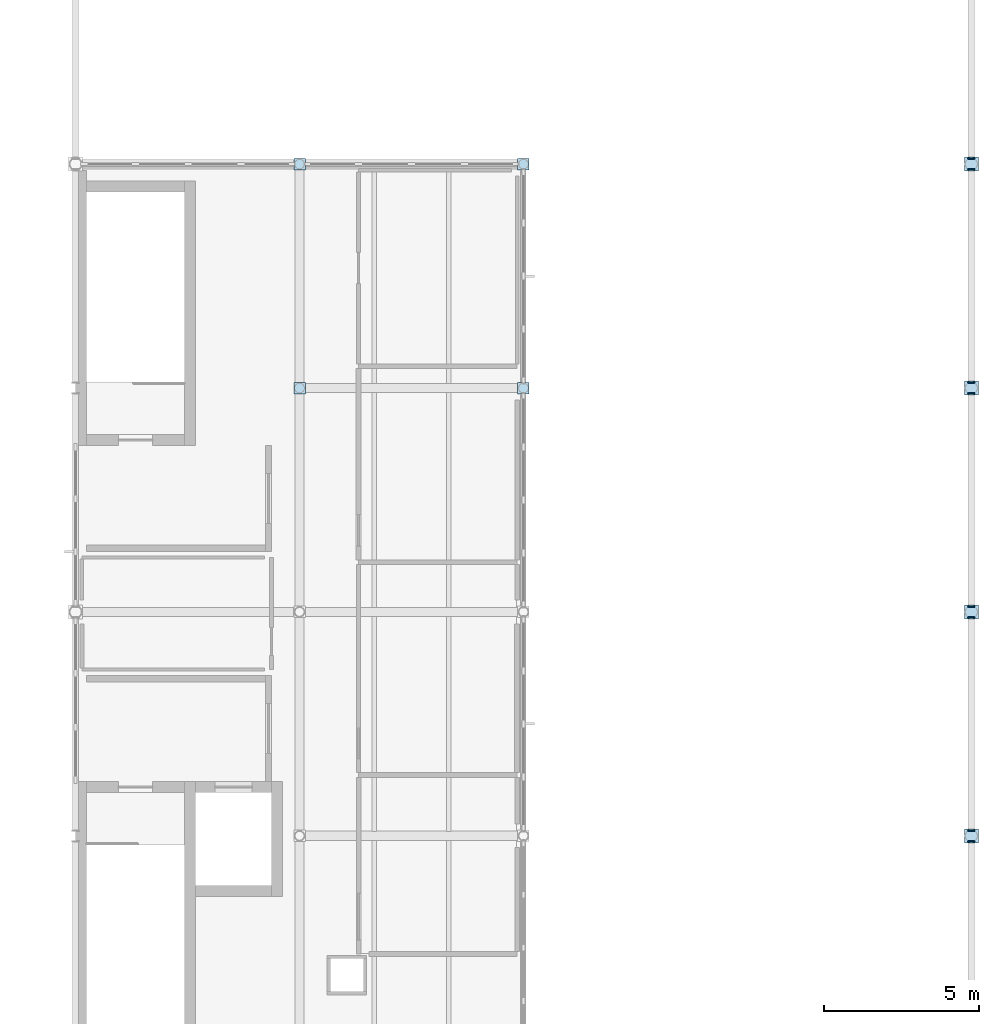
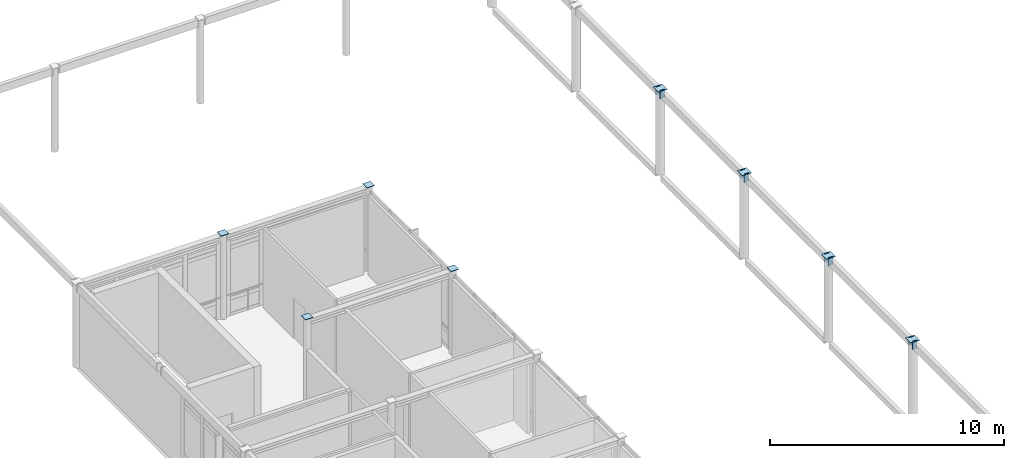
# One storey, part 47 of 72: 16 plates.
"""IFC4 building model written with IfcOpenShell, lengths in metres."""

from ifc_helpers import new_model, si_unit, direction, frame, origin, origin_2d, place, context, subcontext, project, spatial, rectangle, extrude, material, layer, layer_set, type_object, element, save


model = new_model("IFC4")

# Units and contexts
model_context = context("Model", 3, precision=1e-05, world=origin(), true_north=direction((0.0, 1.0)))
body_context = subcontext(model_context, "Body", "Model", "MODEL_VIEW")
ifc_project = project(units=[si_unit("LENGTHUNIT", "METRE"), si_unit("AREAUNIT", "SQUARE_METRE"), si_unit("VOLUMEUNIT", "CUBIC_METRE"), si_unit("PLANEANGLEUNIT", "RADIAN"), si_unit("MASSUNIT", "GRAM", prefix="KILO")], contexts=[model_context])

# Site, building, storey
site_placement = place(None, origin())
site = spatial("IfcSite", under=ifc_project, at=site_placement, CompositionType="ELEMENT")
building_placement = place(site_placement, origin())
building = spatial("IfcBuilding", under=site, at=building_placement, Name="Zarrinpeak Specialist Clinic", CompositionType="ELEMENT")
storey_placement = place(building_placement, frame((0.0, 0.0, 9.60009765625)))
storey = spatial("IfcBuildingStorey", under=building, at=storey_placement, Name="L02", CompositionType="ELEMENT", Elevation=9.60009765625)

# Plates
ifc_material = material(Name="Steel S355", Category="steel")
ifc_layer_1 = layer(ifc_material, 0.031982421875)
ifc_layer_set_1 = layer_set([ifc_layer_1], Name="Steel S355")
plate_type_1 = type_object("IfcPlateType", Name="PL-BP450", PredefinedType="SHEET", material=ifc_layer_set_1)
for number, where, z_axis, x_axis, name in (
    (1, (122.39990234375, 35.83203125, 4.0), (0.0, 0.0, 1.0), (1.0, 0.0, 0.0), "V3 Ring Beam Sealed End-Cap Plate RBCAP-30"),
    (2, (122.39990234375, 36.16796875, 4.0), (0.0, 0.0, 1.0), (1.0, 0.0, 0.0), "V3 Ring Beam Sealed End-Cap Plate RBCAP-31"),
    (3, (122.39990234375, 43.031982421875, 4.0), (0.0, 0.0, 1.0), (1.0, 0.0, 0.0), "V3 Ring Beam Sealed End-Cap Plate RBCAP-32"),
    (4, (122.39990234375, 43.367919921875, 4.0), (0.0, 0.0, 1.0), (1.0, 0.0, 0.0), "V3 Ring Beam Sealed End-Cap Plate RBCAP-33"),
    (5, (122.39990234375, 50.23193359375, 4.0), (0.0, 0.0, 1.0), (1.0, 0.0, 0.0), "V3 Ring Beam Sealed End-Cap Plate RBCAP-34"),
    (6, (122.39990234375, 50.568115234375, 4.0), (0.0, 0.0, 1.0), (1.0, 0.0, 0.0), "V3 Ring Beam Sealed End-Cap Plate RBCAP-35"),
    (7, (122.39990234375, 57.431884765625, 4.0), (0.0, 0.0, 1.0), (1.0, 0.0, 0.0), "V3 Ring Beam Sealed End-Cap Plate RBCAP-36"),
    (8, (122.39990234375, 57.76806640625, 4.0), (0.0, 0.0, 1.0), (1.0, 0.0, 0.0), "V3 Ring Beam Sealed End-Cap Plate RBCAP-37"),
):
    element("IfcPlate", number, at=place(storey_placement, frame(where, z_axis=z_axis, x_axis=x_axis)), inside=storey, type_object=plate_type_1, Name=name, PredefinedType="SHEET", context=body_context, shape_type="SweptSolid", body=[
        extrude(rectangle(XDim=0.239990234375, YDim=0.031982421875, at=origin_2d()), origin(), (0.0, 0.0, 1.0), 0.419921875),
    ])
ifc_layer_2 = layer(ifc_material, 0.02001953125)
ifc_layer_set_2 = layer_set([ifc_layer_2], Name="Steel S355")
plate_type_2 = type_object("IfcPlateType", Name="PL-CAP324", PredefinedType="SHEET", material=ifc_layer_set_2)
for number, where, z_axis, x_axis, name in (
    (9, (100.800048828125, 50.39990234375, 4.39599609375), (0.0, 0.0, 1.0), (1.0, 0.0, 0.0), "L02 Hollow Column Top Cap Plate CCAP-T-105"),
    (10, (100.800048828125, 57.60009765625, 4.39599609375), (0.0, 0.0, 1.0), (1.0, 0.0, 0.0), "L02 Hollow Column Top Cap Plate CCAP-T-106"),
    (11, (108.0, 50.39990234375, 4.39599609375), (0.0, 0.0, 1.0), (1.0, 0.0, 0.0), "L02 Hollow Column Top Cap Plate CCAP-T-111"),
    (12, (108.0, 57.60009765625, 4.39599609375), (0.0, 0.0, 1.0), (1.0, 0.0, 0.0), "L02 Hollow Column Top Cap Plate CCAP-T-112"),
):
    element("IfcPlate", number, at=place(storey_placement, frame(where, z_axis=z_axis, x_axis=x_axis)), inside=storey, type_object=plate_type_2, Name=name, PredefinedType="SHEET", context=body_context, shape_type="SweptSolid", body=[
        extrude(rectangle(XDim=0.3701171875, YDim=0.3701171875, at=origin_2d()), origin(), (0.0, 0.0, 1.0), 0.02001953125),
    ])
ifc_layer_3 = layer(ifc_material, 0.02197265625)
ifc_layer_set_3 = layer_set([ifc_layer_3], Name="Steel S355")
plate_type_3 = type_object("IfcPlateType", Name="PL-CAP406", PredefinedType="SHEET", material=ifc_layer_set_3)
for number, where, z_axis, x_axis, name in (
    (13, (122.39990234375, 36.0, 4.39599609375), (0.0, 0.0, 1.0), (1.0, 0.0, 0.0), "L02 Hollow Column Top Cap Plate CCAP-T-117"),
    (14, (122.39990234375, 43.199951171875, 4.39599609375), (0.0, 0.0, 1.0), (1.0, 0.0, 0.0), "L02 Hollow Column Top Cap Plate CCAP-T-118"),
    (15, (122.39990234375, 50.39990234375, 4.39599609375), (0.0, 0.0, 1.0), (1.0, 0.0, 0.0), "L02 Hollow Column Top Cap Plate CCAP-T-119"),
    (16, (122.39990234375, 57.60009765625, 4.39599609375), (0.0, 0.0, 1.0), (1.0, 0.0, 0.0), "L02 Hollow Column Top Cap Plate CCAP-T-120"),
):
    element("IfcPlate", number, at=place(storey_placement, frame(where, z_axis=z_axis, x_axis=x_axis)), inside=storey, type_object=plate_type_3, Name=name, PredefinedType="SHEET", context=body_context, shape_type="SweptSolid", body=[
        extrude(rectangle(XDim=0.449951171875, YDim=0.449951171875, at=origin_2d()), origin(), (0.0, 0.0, 1.0), 0.02197265625),
    ])

save(model, "model.ifc")
